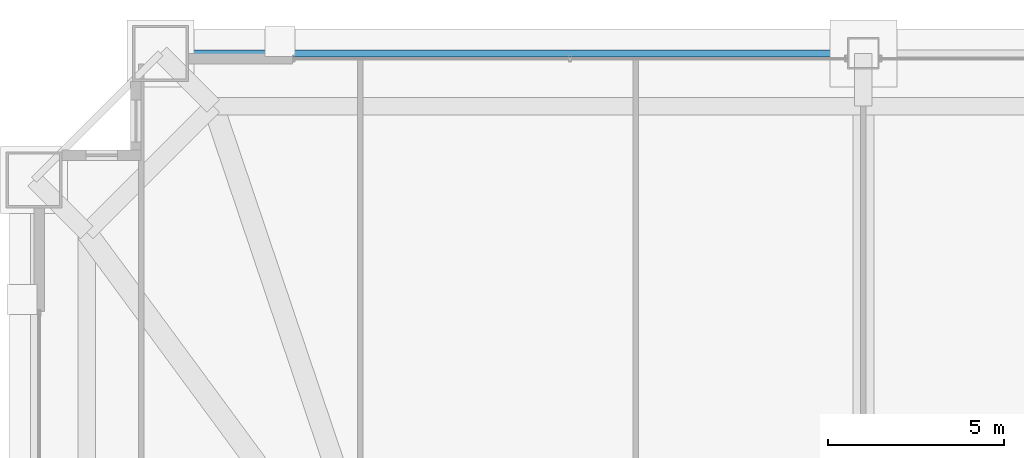
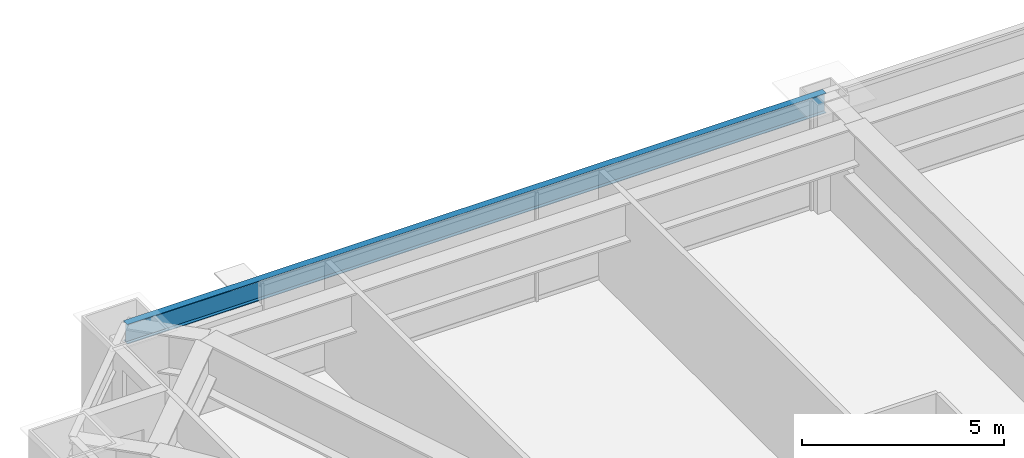
# One storey, part 30 of 45: 1 beam.
"""IFC4 building model written with IfcOpenShell, lengths in metres."""

from ifc_helpers import new_model, si_unit, direction, frame, origin, origin_2d, place, context, subcontext, project, spatial, i_section, extrude, source, transform, mapped, material, material_profile, profile_set, type_object, element, save


model = new_model("IFC4")

# Units and contexts
model_context = context("Model", 3, precision=1e-05, world=origin(), true_north=direction((0.0, 1.0)))
body_context = subcontext(model_context, "Body", "Model", "MODEL_VIEW")
ifc_project = project(units=[si_unit("LENGTHUNIT", "METRE"), si_unit("AREAUNIT", "SQUARE_METRE"), si_unit("VOLUMEUNIT", "CUBIC_METRE"), si_unit("PLANEANGLEUNIT", "RADIAN"), si_unit("MASSUNIT", "GRAM", prefix="KILO"), si_unit("THERMODYNAMICTEMPERATUREUNIT", "KELVIN"), si_unit("POWERUNIT", "WATT")], contexts=[model_context])

# Site, building, storey
site_placement = place(None, origin())
site = spatial("IfcSite", under=ifc_project, at=site_placement, CompositionType="ELEMENT")
building_placement = place(site_placement, origin())
building = spatial("IfcBuilding", under=site, at=building_placement, Name="Yuzanri Waterfront Tower", CompositionType="ELEMENT")
storey_placement = place(building_placement, frame((0.0, 0.0, 163.199951171875)))
storey = spatial("IfcBuildingStorey", under=building, at=storey_placement, Name="L43", CompositionType="ELEMENT", Elevation=163.199951171875)

# Beam
ifc_material = material(Name="Steel Q355B", Category="steel")
ifc_material_profile = material_profile(ifc_material, i_section(OverallWidth=0.199951171875, OverallDepth=0.60009765625, WebThickness=0.010986328125, FlangeThickness=0.01708984375, at=origin_2d()), Name="HN 600x200x11x17")
ifc_profile_set = profile_set([ifc_material_profile], Name="Steel Q355B")
beam_type = type_object("IfcBeamType", Name="Perimeter Spandrel Q355B HN 600x200", PredefinedType="SPANDREL", material=ifc_profile_set)
shared_shape = source(origin(), body_context, "Body", "SweptSolid", [
    extrude(i_section(OverallWidth=0.199951171875, OverallDepth=0.60009765625, WebThickness=0.010986328125, FlangeThickness=0.01708984375, at=origin_2d()), origin(), (0.0, 0.0, 1.0), 20.0),
])
beam_placement = place(storey_placement, frame((37.0, 49.39990234375, 3.0), z_axis=(-1.0, 0.0, 0.0), x_axis=(0.0, -1.0, 0.0)))
element("IfcBeam", 1, at=beam_placement, inside=storey, type_object=beam_type, Name="L43 Perimeter Spandrel N2-N1", PredefinedType="SPANDREL", context=body_context, shape_type="MappedRepresentation", body=[
    mapped(shared_shape, transform((0.0, 0.0, 0.0), scale=1.0)),
])

save(model, "model.ifc")
